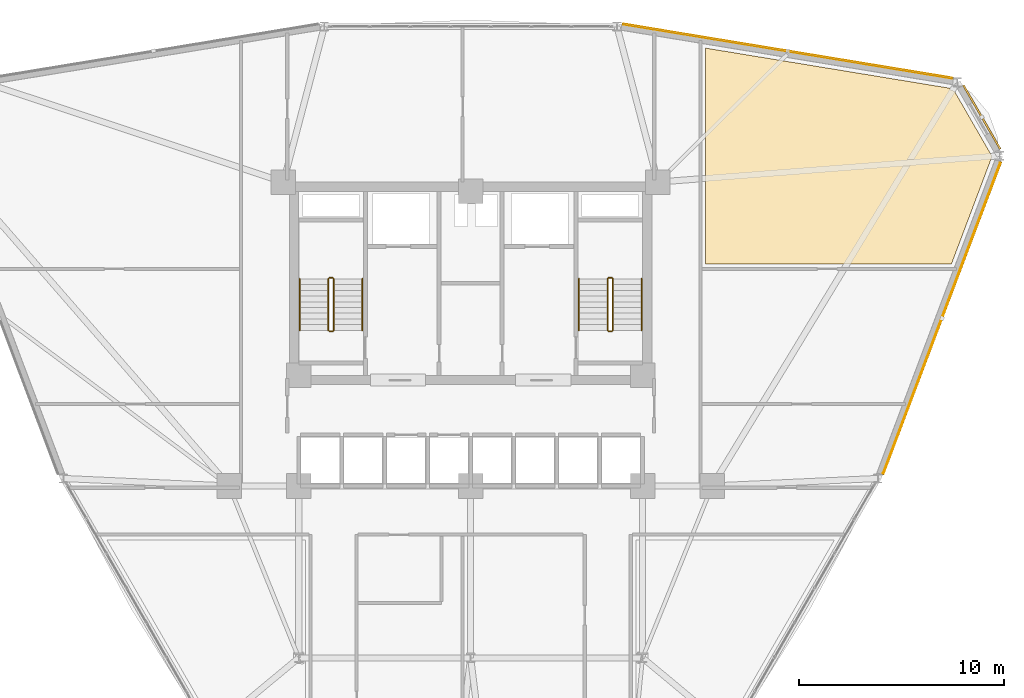
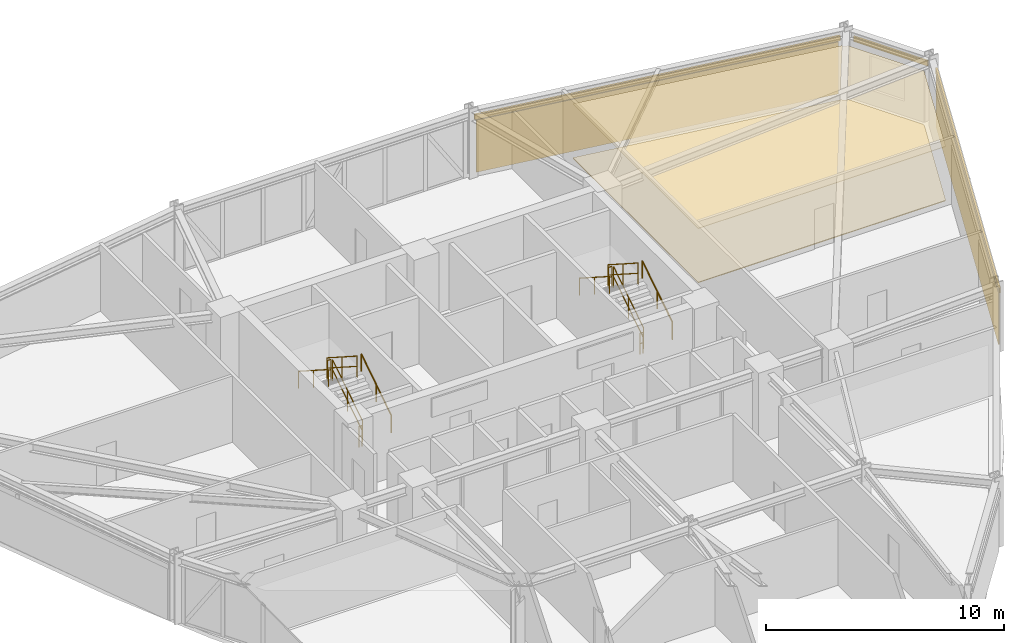
# One storey, part 17 of 17: 12 railings, 4 coverings, 3 shading devices.
"""IFC4 building model written with IfcOpenShell, lengths in metres."""

from ifc_helpers import new_model, si_unit, derived_unit, direction, frame, origin, origin_2d, place, context, subcontext, project, spatial, polyline, hollow_rectangle, circle, outline, extrude, source, transform, mapped, material, layer, layer_set, material_profile, profile_set, type_object, element, save


model = new_model("IFC4")

# Units and contexts
model_context = context("Model", 3, precision=1e-05, world=origin(), true_north=direction((0.0, 1.0)))
body_context = subcontext(model_context, "Body", "Model", "MODEL_VIEW")
ifc_project = project(units=[si_unit("LENGTHUNIT", "METRE"), si_unit("AREAUNIT", "SQUARE_METRE"), si_unit("VOLUMEUNIT", "CUBIC_METRE"), si_unit("PLANEANGLEUNIT", "RADIAN"), si_unit("MASSUNIT", "GRAM", prefix="KILO"), derived_unit("THERMALTRANSMITTANCEUNIT", [(si_unit("POWERUNIT", "WATT"), 1), (si_unit("LENGTHUNIT", "METRE"), -2), (si_unit("THERMODYNAMICTEMPERATUREUNIT", "KELVIN"), -1)])], contexts=[model_context])

# Site, building, storey
site_placement = place(None, origin())
site = spatial("IfcSite", under=ifc_project, at=site_placement, CompositionType="ELEMENT")
building_placement = place(site_placement, origin())
building = spatial("IfcBuilding", under=site, at=building_placement, Name="Korsvarv Bourse and Concert Hall", CompositionType="ELEMENT")
storey_placement = place(building_placement, frame((0.0, 0.0, 102.60009765625)))
storey = spatial("IfcBuildingStorey", under=building, at=storey_placement, Name="L25", CompositionType="ELEMENT", Elevation=102.60009765625)

# Coverings
ifc_material_1 = material(Name="Perforated mineral-wool and birch acoustic baffle ceiling", Category="wood")
ifc_layer_1 = layer(ifc_material_1, 0.02490234375)
ifc_layer_set_1 = layer_set([ifc_layer_1], Name="Perforated mineral-wool and birch acoustic baffle ceiling")
covering_type_1 = type_object("IfcCoveringType", Name="COV-CEIL-1", PredefinedType="CEILING", material=ifc_layer_set_1)
covering_1_placement = place(storey_placement, frame((0.0, 0.0, 2.77978515625)))
element("IfcCovering", 1, at=covering_1_placement, inside=storey, type_object=covering_type_1, Name="L25 acoustic baffle ceiling 1", PredefinedType="CEILING", context=body_context, shape_type="SweptSolid", body=[
    extrude(outline(polyline([(59.39208984375, 51.83837890625), (59.40625, 51.804931640625), (59.4267578125, 51.775146484375), (59.452880859375, 51.75), (59.483642578125, 51.730712890625), (59.517578125, 51.718017578125), (59.55322265625, 51.712158203125), (59.627685546875, 51.7080078125), (61.4521484375, 48.5478515625), (61.4521484375, 48.4423828125), (59.492919921875, 43.25), (47.47998046875, 43.25), (47.47998046875, 53.795654296875), (59.39208984375, 51.83837890625)])), origin(), (0.0, 0.0, 1.0), 0.025146484375),
])
ifc_material_2 = material(Name="Warm iron-oxide extruded terracotta rainscreen tile", Category="ceramic")
ifc_layer_2 = layer(ifc_material_2, 0.044921875)
ifc_layer_set_2 = layer_set([ifc_layer_2], Name="Warm iron-oxide extruded terracotta rainscreen tile")
covering_type_2 = type_object("IfcCoveringType", Name="COV-CLD-TC", PredefinedType="CLADDING", material=ifc_layer_set_2)
covering_2_placement = place(storey_placement, origin())
element("IfcCovering", 2, at=covering_2_placement, inside=storey, type_object=covering_type_2, Name="L25 fluted terracotta cladding panel EW-L25-B02", PredefinedType="CLADDING", context=body_context, shape_type="SweptSolid", body=[
    extrude(outline(polyline([(59.51171875, 52.30078125), (43.464111328125, 54.9365234375), (43.471435546875, 54.98095703125), (59.51904296875, 52.34521484375), (59.51171875, 52.30078125)])), origin(), (0.0, 0.0, 1.0), 2.679931640625),
])
covering_3_placement = place(storey_placement, origin())
element("IfcCovering", 3, at=covering_3_placement, inside=storey, type_object=covering_type_2, Name="L25 fluted terracotta cladding panel EW-L25-B12", PredefinedType="CLADDING", context=body_context, shape_type="SweptSolid", body=[
    extrude(outline(polyline([(56.142822265625, 33.025390625), (61.861572265625, 48.181884765625), (61.90380859375, 48.166015625), (56.18505859375, 33.009521484375), (56.142822265625, 33.025390625)])), origin(), (0.0, 0.0, 1.0), 2.679931640625),
])
ifc_material_3 = material(Name="Calcium-sulphate raised access trading floor with Nordic oak top", Category="wood")
ifc_layer_3 = layer(ifc_material_3, 0.0400390625)
ifc_layer_set_3 = layer_set([ifc_layer_3], Name="Calcium-sulphate raised access trading floor with Nordic oak top")
covering_type_3 = type_object("IfcCoveringType", Name="COV-FLOR-1", PredefinedType="FLOORING", material=ifc_layer_set_3)
covering_4_placement = place(storey_placement, origin())
element("IfcCovering", 4, at=covering_4_placement, inside=storey, type_object=covering_type_3, Name="L25 raised access oak floor finish 1", PredefinedType="FLOORING", context=body_context, shape_type="SweptSolid", body=[
    extrude(outline(polyline([(59.39208984375, 51.83837890625), (59.40625, 51.804931640625), (59.4267578125, 51.775146484375), (59.452880859375, 51.75), (59.483642578125, 51.730712890625), (59.517578125, 51.718017578125), (59.55322265625, 51.712158203125), (59.627685546875, 51.7080078125), (61.4521484375, 48.5478515625), (61.4521484375, 48.4423828125), (59.492919921875, 43.25), (47.47998046875, 43.25), (47.47998046875, 53.795654296875), (59.39208984375, 51.83837890625)])), origin(), (0.0, 0.0, 1.0), 0.039794921875),
])

# Railings
ifc_material_4 = material(Name="Painted Steel S355 stair well guardrail", Category="steel")
railing_type_1 = type_object("IfcRailingType", Name="RL-ST-GRD", PredefinedType="GUARDRAIL", material=ifc_material_4)
railing_1_placement = place(storey_placement, frame((29.31005859375, 40.0, 0.179931640625)))
element("IfcRailing", 5, at=railing_1_placement, inside=storey, type_object=railing_type_1, Name="L25 ST-T1 stair guard 1", PredefinedType="GUARDRAIL", context=body_context, shape_type="SweptSolid", body=[
    extrude(circle(Radius=0.02392578125, at=origin_2d()), frame((0.0, 0.0, 1.076171875), z_axis=(0.0, 0.841199657755, 0.540724639528), x_axis=(-1.0, 0.0, 0.0)), (0.0, 0.0, 1.0), 2.995849609375),
    extrude(circle(Radius=0.02392578125, at=origin_2d()), frame((0.0, 0.0, 0.550048828125), z_axis=(0.0, 0.841199657755, 0.540724639528), x_axis=(-1.0, 0.0, 0.0)), (0.0, 0.0, 1.0), 2.995849609375),
    extrude(circle(Radius=0.02099609375, at=origin_2d()), origin(), (0.0, 0.0, 1.0), 1.052001953125),
    extrude(circle(Radius=0.02099609375, at=origin_2d()), frame((0.0, 1.260009765625, 0.81005859375)), (0.0, 0.0, 1.0), 1.052001953125),
    extrude(circle(Radius=0.02099609375, at=origin_2d()), frame((0.0, 2.52001953125, 1.619873046875)), (0.0, 0.0, 1.0), 1.052001953125),
])
railing_2_placement = place(storey_placement, frame((29.260009765625, 42.570068359375, 1.7998046875)))
element("IfcRailing", 6, at=railing_2_placement, inside=storey, type_object=railing_type_1, Name="L25 ST-T1 stair guard 2", PredefinedType="GUARDRAIL", context=body_context, shape_type="SweptSolid", body=[
    extrude(circle(Radius=0.02392578125, at=origin_2d()), frame((0.0, 0.0, 1.076171875), z_axis=(-1.0, 0.0, 0.0), x_axis=(0.0, -1.0, 0.0)), (0.0, 0.0, 1.0), 0.159912109375),
    extrude(circle(Radius=0.02392578125, at=origin_2d()), frame((0.0, 0.0, 0.550048828125), z_axis=(-1.0, 0.0, 0.0), x_axis=(0.0, -1.0, 0.0)), (0.0, 0.0, 1.0), 0.159912109375),
    extrude(circle(Radius=0.02099609375, at=origin_2d()), origin(), (0.0, 0.0, 1.0), 1.052001953125),
    extrude(circle(Radius=0.02099609375, at=origin_2d()), frame((-0.159912109375, 0.0, 0.0)), (0.0, 0.0, 1.0), 1.052001953125),
])
railing_3_placement = place(storey_placement, frame((29.050048828125, 42.52001953125, 1.97998046875)))
element("IfcRailing", 7, at=railing_3_placement, inside=storey, type_object=railing_type_1, Name="L25 ST-T1 stair guard 3", PredefinedType="GUARDRAIL", context=body_context, shape_type="SweptSolid", body=[
    extrude(circle(Radius=0.02392578125, at=origin_2d()), frame((0.0, 0.0, 1.076171875), z_axis=(0.0, -0.841199657755, 0.540724639528), x_axis=(1.0, 0.0, 0.0)), (0.0, 0.0, 1.0), 2.995849609375),
    extrude(circle(Radius=0.02392578125, at=origin_2d()), frame((0.0, 0.0, 0.550048828125), z_axis=(0.0, -0.841199657755, 0.540724639528), x_axis=(1.0, 0.0, 0.0)), (0.0, 0.0, 1.0), 2.995849609375),
    extrude(circle(Radius=0.02099609375, at=origin_2d()), origin(), (0.0, 0.0, 1.0), 1.052001953125),
    extrude(circle(Radius=0.02099609375, at=origin_2d()), frame((0.0, -1.260009765625, 0.81005859375)), (0.0, 0.0, 1.0), 1.052001953125),
    extrude(circle(Radius=0.02099609375, at=origin_2d()), frame((0.0, -2.52001953125, 1.619873046875)), (0.0, 0.0, 1.0), 1.052001953125),
])
railing_4_placement = place(storey_placement, frame((29.260009765625, 39.949951171875, 0.0)))
element("IfcRailing", 8, at=railing_4_placement, inside=storey, type_object=railing_type_1, Name="L25 ST-T1 stair guard 4", PredefinedType="GUARDRAIL", context=body_context, shape_type="SweptSolid", body=[
    extrude(circle(Radius=0.02392578125, at=origin_2d()), frame((0.0, 0.0, 1.076171875), z_axis=(-1.0, 0.0, 0.0), x_axis=(0.0, -1.0, 0.0)), (0.0, 0.0, 1.0), 0.159912109375),
    extrude(circle(Radius=0.02392578125, at=origin_2d()), frame((0.0, 0.0, 0.550048828125), z_axis=(-1.0, 0.0, 0.0), x_axis=(0.0, -1.0, 0.0)), (0.0, 0.0, 1.0), 0.159912109375),
    extrude(circle(Radius=0.02099609375, at=origin_2d()), origin(), (0.0, 0.0, 1.0), 1.052001953125),
    extrude(circle(Radius=0.02099609375, at=origin_2d()), frame((-0.159912109375, 0.0, 0.0)), (0.0, 0.0, 1.0), 1.052001953125),
])
railing_5_placement = place(storey_placement, frame((42.949951171875, 40.0, 0.179931640625)))
element("IfcRailing", 9, at=railing_5_placement, inside=storey, type_object=railing_type_1, Name="L25 ST-T2 stair guard 1", PredefinedType="GUARDRAIL", context=body_context, shape_type="SweptSolid", body=[
    extrude(circle(Radius=0.02392578125, at=origin_2d()), frame((0.0, 0.0, 1.076171875), z_axis=(0.0, 0.841199657755, 0.540724639528), x_axis=(-1.0, 0.0, 0.0)), (0.0, 0.0, 1.0), 2.995849609375),
    extrude(circle(Radius=0.02392578125, at=origin_2d()), frame((0.0, 0.0, 0.550048828125), z_axis=(0.0, 0.841199657755, 0.540724639528), x_axis=(-1.0, 0.0, 0.0)), (0.0, 0.0, 1.0), 2.995849609375),
    extrude(circle(Radius=0.02099609375, at=origin_2d()), origin(), (0.0, 0.0, 1.0), 1.052001953125),
    extrude(circle(Radius=0.02099609375, at=origin_2d()), frame((0.0, 1.260009765625, 0.81005859375)), (0.0, 0.0, 1.0), 1.052001953125),
    extrude(circle(Radius=0.02099609375, at=origin_2d()), frame((0.0, 2.52001953125, 1.619873046875)), (0.0, 0.0, 1.0), 1.052001953125),
])
railing_6_placement = place(storey_placement, frame((42.89990234375, 42.570068359375, 1.7998046875)))
element("IfcRailing", 10, at=railing_6_placement, inside=storey, type_object=railing_type_1, Name="L25 ST-T2 stair guard 2", PredefinedType="GUARDRAIL", context=body_context, shape_type="SweptSolid", body=[
    extrude(circle(Radius=0.02392578125, at=origin_2d()), frame((0.0, 0.0, 1.076171875), z_axis=(-1.0, 0.0, 0.0), x_axis=(0.0, -1.0, 0.0)), (0.0, 0.0, 1.0), 0.159912109375),
    extrude(circle(Radius=0.02392578125, at=origin_2d()), frame((0.0, 0.0, 0.550048828125), z_axis=(-1.0, 0.0, 0.0), x_axis=(0.0, -1.0, 0.0)), (0.0, 0.0, 1.0), 0.159912109375),
    extrude(circle(Radius=0.02099609375, at=origin_2d()), origin(), (0.0, 0.0, 1.0), 1.052001953125),
    extrude(circle(Radius=0.02099609375, at=origin_2d()), frame((-0.159912109375, 0.0, 0.0)), (0.0, 0.0, 1.0), 1.052001953125),
])
railing_7_placement = place(storey_placement, frame((42.68994140625, 42.52001953125, 1.97998046875)))
element("IfcRailing", 11, at=railing_7_placement, inside=storey, type_object=railing_type_1, Name="L25 ST-T2 stair guard 3", PredefinedType="GUARDRAIL", context=body_context, shape_type="SweptSolid", body=[
    extrude(circle(Radius=0.02392578125, at=origin_2d()), frame((0.0, 0.0, 1.076171875), z_axis=(0.0, -0.841199657755, 0.540724639528), x_axis=(1.0, 0.0, 0.0)), (0.0, 0.0, 1.0), 2.995849609375),
    extrude(circle(Radius=0.02392578125, at=origin_2d()), frame((0.0, 0.0, 0.550048828125), z_axis=(0.0, -0.841199657755, 0.540724639528), x_axis=(1.0, 0.0, 0.0)), (0.0, 0.0, 1.0), 2.995849609375),
    extrude(circle(Radius=0.02099609375, at=origin_2d()), origin(), (0.0, 0.0, 1.0), 1.052001953125),
    extrude(circle(Radius=0.02099609375, at=origin_2d()), frame((0.0, -1.260009765625, 0.81005859375)), (0.0, 0.0, 1.0), 1.052001953125),
    extrude(circle(Radius=0.02099609375, at=origin_2d()), frame((0.0, -2.52001953125, 1.619873046875)), (0.0, 0.0, 1.0), 1.052001953125),
])
railing_8_placement = place(storey_placement, frame((42.89990234375, 39.949951171875, 0.0)))
element("IfcRailing", 12, at=railing_8_placement, inside=storey, type_object=railing_type_1, Name="L25 ST-T2 stair guard 4", PredefinedType="GUARDRAIL", context=body_context, shape_type="SweptSolid", body=[
    extrude(circle(Radius=0.02392578125, at=origin_2d()), frame((0.0, 0.0, 1.076171875), z_axis=(-1.0, 0.0, 0.0), x_axis=(0.0, -1.0, 0.0)), (0.0, 0.0, 1.0), 0.159912109375),
    extrude(circle(Radius=0.02392578125, at=origin_2d()), frame((0.0, 0.0, 0.550048828125), z_axis=(-1.0, 0.0, 0.0), x_axis=(0.0, -1.0, 0.0)), (0.0, 0.0, 1.0), 0.159912109375),
    extrude(circle(Radius=0.02099609375, at=origin_2d()), origin(), (0.0, 0.0, 1.0), 1.052001953125),
    extrude(circle(Radius=0.02099609375, at=origin_2d()), frame((-0.159912109375, 0.0, 0.0)), (0.0, 0.0, 1.0), 1.052001953125),
])
ifc_material_5 = material(Name="Brushed stainless Steel S355 tubular handrail", Category="steel")
railing_type_2 = type_object("IfcRailingType", Name="RL-ST-HND", PredefinedType="HANDRAIL", material=ifc_material_5)
railing_9_placement = place(storey_placement, frame((30.7099609375, 40.0, 0.179931640625)))
element("IfcRailing", 13, at=railing_9_placement, inside=storey, type_object=railing_type_2, Name="L25 ST-T1 stair handrail 1", PredefinedType="HANDRAIL", context=body_context, shape_type="SweptSolid", body=[
    extrude(circle(Radius=0.02392578125, at=origin_2d()), frame((0.0, 0.0, 0.8759765625), z_axis=(0.0, 0.841199657755, 0.540724639528), x_axis=(-1.0, 0.0, 0.0)), (0.0, 0.0, 1.0), 2.995849609375),
    extrude(circle(Radius=0.02099609375, at=origin_2d()), origin(), (0.0, 0.0, 1.0), 0.851806640625),
    extrude(circle(Radius=0.02099609375, at=origin_2d()), frame((0.0, 1.260009765625, 0.81005859375)), (0.0, 0.0, 1.0), 0.851806640625),
    extrude(circle(Radius=0.02099609375, at=origin_2d()), frame((0.0, 2.52001953125, 1.619873046875)), (0.0, 0.0, 1.0), 0.851806640625),
])
railing_10_placement = place(storey_placement, frame((27.64990234375, 42.52001953125, 1.97998046875)))
element("IfcRailing", 14, at=railing_10_placement, inside=storey, type_object=railing_type_2, Name="L25 ST-T1 stair handrail 2", PredefinedType="HANDRAIL", context=body_context, shape_type="SweptSolid", body=[
    extrude(circle(Radius=0.02392578125, at=origin_2d()), frame((0.0, 0.0, 0.8759765625), z_axis=(0.0, -0.841199657755, 0.540724639528), x_axis=(1.0, 0.0, 0.0)), (0.0, 0.0, 1.0), 2.995849609375),
    extrude(circle(Radius=0.02099609375, at=origin_2d()), origin(), (0.0, 0.0, 1.0), 0.851806640625),
    extrude(circle(Radius=0.02099609375, at=origin_2d()), frame((0.0, -1.260009765625, 0.81005859375)), (0.0, 0.0, 1.0), 0.851806640625),
    extrude(circle(Radius=0.02099609375, at=origin_2d()), frame((0.0, -2.52001953125, 1.619873046875)), (0.0, 0.0, 1.0), 0.851806640625),
])
railing_11_placement = place(storey_placement, frame((44.35009765625, 40.0, 0.179931640625)))
element("IfcRailing", 15, at=railing_11_placement, inside=storey, type_object=railing_type_2, Name="L25 ST-T2 stair handrail 1", PredefinedType="HANDRAIL", context=body_context, shape_type="SweptSolid", body=[
    extrude(circle(Radius=0.02392578125, at=origin_2d()), frame((0.0, 0.0, 0.8759765625), z_axis=(0.0, 0.841199657755, 0.540724639528), x_axis=(-1.0, 0.0, 0.0)), (0.0, 0.0, 1.0), 2.995849609375),
    extrude(circle(Radius=0.02099609375, at=origin_2d()), origin(), (0.0, 0.0, 1.0), 0.851806640625),
    extrude(circle(Radius=0.02099609375, at=origin_2d()), frame((0.0, 1.260009765625, 0.81005859375)), (0.0, 0.0, 1.0), 0.851806640625),
    extrude(circle(Radius=0.02099609375, at=origin_2d()), frame((0.0, 2.52001953125, 1.619873046875)), (0.0, 0.0, 1.0), 0.851806640625),
])
railing_12_placement = place(storey_placement, frame((41.2900390625, 42.52001953125, 1.97998046875)))
element("IfcRailing", 16, at=railing_12_placement, inside=storey, type_object=railing_type_2, Name="L25 ST-T2 stair handrail 2", PredefinedType="HANDRAIL", context=body_context, shape_type="SweptSolid", body=[
    extrude(circle(Radius=0.02392578125, at=origin_2d()), frame((0.0, 0.0, 0.8759765625), z_axis=(0.0, -0.841199657755, 0.540724639528), x_axis=(1.0, 0.0, 0.0)), (0.0, 0.0, 1.0), 2.995849609375),
    extrude(circle(Radius=0.02099609375, at=origin_2d()), origin(), (0.0, 0.0, 1.0), 0.851806640625),
    extrude(circle(Radius=0.02099609375, at=origin_2d()), frame((0.0, -1.260009765625, 0.81005859375)), (0.0, 0.0, 1.0), 0.851806640625),
    extrude(circle(Radius=0.02099609375, at=origin_2d()), frame((0.0, -2.52001953125, 1.619873046875)), (0.0, 0.0, 1.0), 0.851806640625),
])

# Shading devices
ifc_material_6 = material(Name="Glazed extruded architectural terracotta", Category="ceramic")
ifc_material_profile = material_profile(ifc_material_6, hollow_rectangle(XDim=0.090087890625, YDim=0.260009765625, WallThickness=0.011962890625, at=origin_2d()), Name="TC-BAG 90x260")
ifc_profile_set = profile_set([ifc_material_profile], Name="Glazed extruded architectural terracotta")
shading_device_type = type_object("IfcShadingDeviceType", Name="SHD-BAG-1", PredefinedType="USERDEFINED", material=ifc_profile_set)
shared_shape_1 = source(origin(), body_context, "Body", "SweptSolid", [
    extrude(hollow_rectangle(XDim=0.090087890625, YDim=0.260009765625, WallThickness=0.011962890625, at=origin_2d()), origin(), (0.0, 0.0, 1.0), 16.42236328125),
])
shading_device_1_placement = place(storey_placement, frame((59.59716796875, 52.327392578125, 2.83984375), z_axis=(-0.986778909092, 0.162072158533, 0.0), x_axis=(-0.162072158533, -0.986778909092, 0.0)))
element("IfcShadingDevice", 17, at=shading_device_1_placement, inside=storey, type_object=shading_device_type, Name="L25 terracotta baguette sunshade EW-L25-B02", ObjectType="BAGUETTE", PredefinedType="USERDEFINED", context=body_context, shape_type="MappedRepresentation", body=[
    mapped(shared_shape_1, transform((0.0, 0.0, 0.0), scale=1.0)),
])
shared_shape_2 = source(origin(), body_context, "Body", "SweptSolid", [
    extrude(hollow_rectangle(XDim=0.090087890625, YDim=0.260009765625, WallThickness=0.011962890625, at=origin_2d()), origin(), (0.0, 0.0, 1.0), 16.359130859375),
])
shading_device_2_placement = place(storey_placement, frame((56.152099609375, 32.9365234375, 2.83984375), z_axis=(0.353021512356, 0.935615204993, 0.0), x_axis=(-0.935615204993, 0.353021512356, 0.0)))
element("IfcShadingDevice", 18, at=shading_device_2_placement, inside=storey, type_object=shading_device_type, Name="L25 terracotta baguette sunshade EW-L25-B12", ObjectType="BAGUETTE", PredefinedType="USERDEFINED", context=body_context, shape_type="MappedRepresentation", body=[
    mapped(shared_shape_2, transform((0.0, 0.0, 0.0), scale=1.0)),
])
shared_shape_3 = source(origin(), body_context, "Body", "SweptSolid", [
    extrude(hollow_rectangle(XDim=0.090087890625, YDim=0.260009765625, WallThickness=0.011962890625, at=origin_2d()), origin(), (0.0, 0.0, 1.0), 3.60009765625),
])
shading_device_3_placement = place(storey_placement, frame((61.877197265625, 48.86181640625, 2.83984375), z_axis=(-0.500012057535, 0.866018442252, 0.0), x_axis=(-0.866018442252, -0.500012057535, 0.0)))
element("IfcShadingDevice", 19, at=shading_device_3_placement, inside=storey, type_object=shading_device_type, Name="L25 terracotta baguette sunshade EW-L25-B01", ObjectType="BAGUETTE", PredefinedType="USERDEFINED", context=body_context, shape_type="MappedRepresentation", body=[
    mapped(shared_shape_3, transform((0.0, 0.0, 0.0), scale=1.0)),
])

save(model, "model.ifc")
